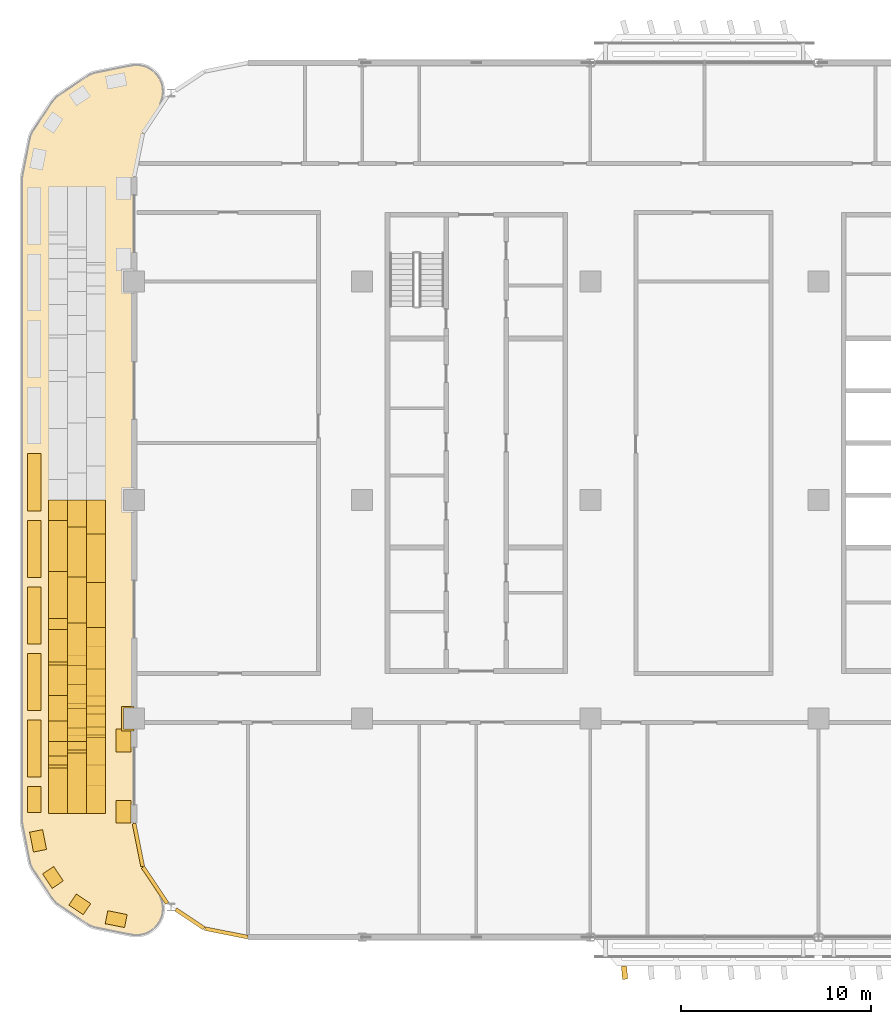
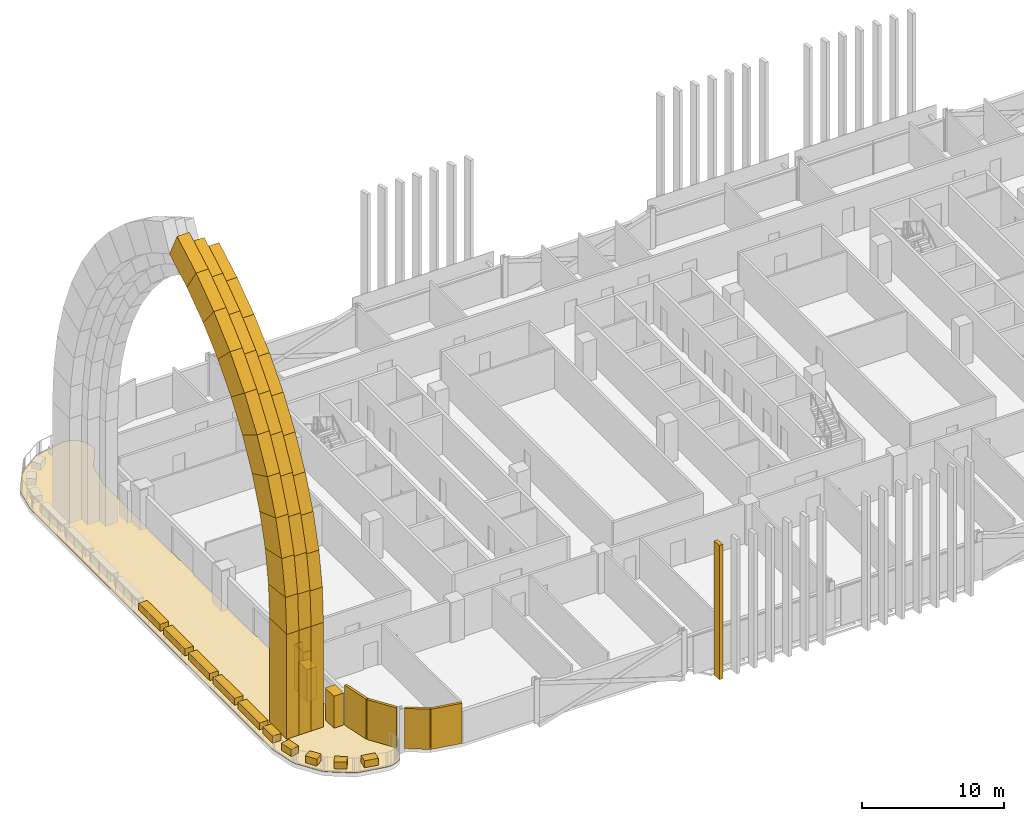
# One storey, part 20 of 28: 52 coverings.
"""IFC4 building model written with IfcOpenShell, lengths in metres."""

from ifc_helpers import new_model, si_unit, direction, frame, origin, origin_2d, place, context, subcontext, project, spatial, polyline, rectangle, outline, extrude, material, layer, layer_set, type_object, element, save


model = new_model("IFC4")

# Units and contexts
model_context = context("Model", 3, precision=1e-05, world=origin(), true_north=direction((0.0, 1.0)))
body_context = subcontext(model_context, "Body", "Model", "MODEL_VIEW")
ifc_project = project(units=[si_unit("LENGTHUNIT", "METRE"), si_unit("AREAUNIT", "SQUARE_METRE"), si_unit("VOLUMEUNIT", "CUBIC_METRE"), si_unit("PLANEANGLEUNIT", "RADIAN"), si_unit("MASSUNIT", "GRAM", prefix="KILO")], contexts=[model_context])

# Site, building, storey
site_placement = place(None, origin())
site = spatial("IfcSite", under=ifc_project, at=site_placement, CompositionType="ELEMENT")
building_placement = place(site_placement, origin())
building = spatial("IfcBuilding", under=site, at=building_placement, Name="Mahtab Terrace Research Tower", CompositionType="ELEMENT")
storey_placement = place(building_placement, frame((0.0, 0.0, 193.89990234375)))
storey = spatial("IfcBuildingStorey", under=building, at=storey_placement, Name="L46", CompositionType="ELEMENT", Elevation=193.89990234375)

# Coverings
ifc_material_1 = material(Name="Black aluminium cladding panel", Category="aluminium")
ifc_layer_1 = layer(ifc_material_1, 0.199951171875)
ifc_layer_set_1 = layer_set([ifc_layer_1], Name="Black metal corner cladding 200")
covering_type_1 = type_object("IfcCoveringType", Name="Black metal corner cladding 200", PredefinedType="CLADDING", material=ifc_layer_set_1)
for number, where, z_axis, x_axis, name in (
    (1, (-41.771484375, -18.14794921875, 0.0), (0.0, 0.0, 1.0), (0.195212442692, -0.980760981187, 0.0), "Corner cladding L46 19"),
    (2, (-40.89306640625, -20.26953125, 0.0), (0.0, 0.0, 1.0), (0.555291490808, -0.831655794326, 0.0), "Corner cladding L46 20"),
):
    element("IfcCovering", number, at=place(storey_placement, frame(where, z_axis=z_axis, x_axis=x_axis)), inside=storey, type_object=covering_type_1, Name=name, PredefinedType="CLADDING", context=body_context, shape_type="SweptSolid", body=[
        extrude(rectangle(XDim=2.30126953125, YDim=0.199951171875, at=origin_2d()), origin(), (0.0, 0.0, 1.0), 3.4599609375),
    ])
covering_1_placement = place(storey_placement, frame((-39.059814453125, -22.032958984375, 0.0), z_axis=(0.0, 0.0, 1.0), x_axis=(0.831655794326, -0.555291490808, 0.0)))
element("IfcCovering", 3, at=covering_1_placement, inside=storey, type_object=covering_type_1, Name="Corner cladding L46 21", PredefinedType="CLADDING", context=body_context, shape_type="SweptSolid", body=[
    extrude(rectangle(XDim=1.797119140625, YDim=0.199951171875, at=origin_2d()), origin(), (0.0, 0.0, 1.0), 3.4599609375),
])
covering_2_placement = place(storey_placement, frame((-37.14794921875, -22.771484375, 0.0), z_axis=(0.0, 0.0, 1.0), x_axis=(0.980760981187, -0.195212442692, 0.0)))
element("IfcCovering", 4, at=covering_2_placement, inside=storey, type_object=covering_type_1, Name="Corner cladding L46 22", PredefinedType="CLADDING", context=body_context, shape_type="SweptSolid", body=[
    extrude(rectangle(XDim=2.30126953125, YDim=0.199951171875, at=origin_2d()), origin(), (0.0, 0.0, 1.0), 3.4599609375),
])
ifc_material_2 = material(Name="Dark anodised aluminium cladding", Category="aluminium")
ifc_layer_2 = layer(ifc_material_2, 0.10009765625)
ifc_layer_set_2 = layer_set([ifc_layer_2], Name="Column casing 100")
covering_type_2 = type_object("IfcCoveringType", Name="Column casing 100", PredefinedType="CLADDING", material=ifc_layer_set_2)
covering_3_placement = place(storey_placement, frame((0.0, 0.0, -0.33984375)))
element("IfcCovering", 5, at=covering_3_placement, inside=storey, type_object=covering_type_2, Name="Column casing RC-1A L46", PredefinedType="CLADDING", context=body_context, shape_type="SweptSolid", body=[
    extrude(outline(polyline([(-42.64990234375, -10.85009765625), (-42.0, -10.85009765625), (-42.0, -10.949951171875), (-42.550048828125, -10.949951171875), (-42.550048828125, -12.050048828125), (-42.0, -12.050048828125), (-42.0, -12.14990234375), (-42.64990234375, -12.14990234375), (-42.64990234375, -10.85009765625)])), origin(), (0.0, 0.0, 1.0), 3.800048828125),
])
ifc_material_3 = material(Name="Glazed ceramic tile cladding", Category="masonry")
ifc_layer_3 = layer(ifc_material_3, 1.0)
ifc_layer_set_3 = layer_set([ifc_layer_3], Name="Iwan portal cladding arch course 800")
covering_type_3 = type_object("IfcCoveringType", Name="Iwan portal cladding arch course 800", PredefinedType="CLADDING", material=ifc_layer_set_3)
covering_4_placement = place(storey_placement, frame((-43.5, -12.5, 9.030029296875), z_axis=(1.0, 0.0, 0.0), x_axis=(0.0, 0.055632471421, 0.998451314849)))
element("IfcCovering", 6, at=covering_4_placement, inside=storey, type_object=covering_type_3, Name="Iwan portal arch course 5.1.1E1", PredefinedType="CLADDING", context=body_context, shape_type="SweptSolid", body=[
    extrude(outline(polyline([(0.0, 0.0), (2.497031177606445, 2.7755575615628914e-17), (2.718031150274542, 3.9943107825860853), (-0.22252988568314055, 3.993805259395837), (0.0, 0.0)])), origin(), (0.0, 0.0, -1.0), 1.0),
])
covering_5_placement = place(storey_placement, frame((-43.5, -12.361083984375, 11.523193359375), z_axis=(1.0, 0.0, 0.0), x_axis=(0.0, 0.165477330536, 0.986213594045)))
element("IfcCovering", 7, at=covering_5_placement, inside=storey, type_object=covering_type_3, Name="Iwan portal arch course 5.1.1E2", PredefinedType="CLADDING", context=body_context, shape_type="SweptSolid", body=[
    extrude(outline(polyline([(0.0, 0.0), (2.4963294740269175, 5.551115123125783e-17), (2.7197383110080837, 3.9931432385609136), (-0.2211442549266358, 3.994302797024245), (0.0, 0.0)])), origin(), (0.0, 0.0, -1.0), 1.0),
])
covering_6_placement = place(storey_placement, frame((-43.5, -11.947998046875, 13.985107421875), z_axis=(1.0, 0.0, 0.0), x_axis=(0.0, 0.274385320398, 0.961619829221)))
element("IfcCovering", 8, at=covering_6_placement, inside=storey, type_object=covering_type_3, Name="Iwan portal arch course 5.1.1E3", PredefinedType="CLADDING", context=body_context, shape_type="SweptSolid", body=[
    extrude(outline(polyline([(0.0, 0.0), (2.496702785544752, 0.0), (2.717150438855679, 3.9948151469312627), (-0.22312428490745473, 3.9931591485427367), (0.0, 0.0)])), origin(), (0.0, 0.0, -1.0), 1.0),
])
covering_7_placement = place(storey_placement, frame((-43.5, -11.262939453125, 16.385986328125), z_axis=(1.0, 0.0, 0.0), x_axis=(0.0, 0.378846019026, 0.925459720284)))
element("IfcCovering", 9, at=covering_7_placement, inside=storey, type_object=covering_type_3, Name="Iwan portal arch course 5.1.1E4", PredefinedType="CLADDING", context=body_context, shape_type="SweptSolid", body=[
    extrude(outline(polyline([(0.0, 0.0), (2.4971753017417377, 0.0), (2.7196203796297658, 3.9940506302646437), (-0.2218200965270043, 3.994739174311446), (0.0, 0.0)])), origin(), (0.0, 0.0, -1.0), 1.0),
])
covering_8_placement = place(storey_placement, frame((-43.5, -10.31689453125, 18.697021484375), z_axis=(1.0, 0.0, 0.0), x_axis=(0.0, 0.478879531075, 0.87788062669)))
element("IfcCovering", 10, at=covering_8_placement, inside=storey, type_object=covering_type_3, Name="Iwan portal arch course 5.1.1E5", PredefinedType="CLADDING", context=body_context, shape_type="SweptSolid", body=[
    extrude(outline(polyline([(0.0, 0.0), (2.49708058844083, 0.0), (2.719430437337947, 3.9941434273889156), (-0.2206702074556972, 3.994149084515433), (0.0, 0.0)])), origin(), (0.0, 0.0, -1.0), 1.0),
])
covering_9_placement = place(storey_placement, frame((-43.5, -9.12109375, 20.88916015625), z_axis=(1.0, 0.0, 0.0), x_axis=(0.0, 0.573383565625, 0.819287059992)))
element("IfcCovering", 11, at=covering_9_placement, inside=storey, type_object=covering_type_3, Name="Iwan portal arch course 5.1.1E6", PredefinedType="CLADDING", context=body_context, shape_type="SweptSolid", body=[
    extrude(outline(polyline([(0.0, 0.0), (2.4959772646950604, 0.0), (2.7178899575762028, 3.994034303900552), (-0.2224646139941806, 3.994137036880315), (0.0, 0.0)])), origin(), (0.0, 0.0, -1.0), 1.0),
])
covering_10_placement = place(storey_placement, frame((-43.5, -7.68994140625, 22.93408203125), z_axis=(1.0, 0.0, 0.0), x_axis=(0.0, 0.660799808803, 0.750562197747)))
element("IfcCovering", 12, at=covering_10_placement, inside=storey, type_object=covering_type_3, Name="Iwan portal arch course 5.1.1E7", PredefinedType="CLADDING", context=body_context, shape_type="SweptSolid", body=[
    extrude(outline(polyline([(0.0, 0.0), (2.4968263031719005, 0.0), (2.7182003198382545, 3.994785106603096), (-0.22289572383186074, 3.993979564330994), (0.0, 0.0)])), origin(), (0.0, 0.0, -1.0), 1.0),
])
covering_11_placement = place(storey_placement, frame((-43.5, -6.0400390625, 24.80810546875), z_axis=(1.0, 0.0, 0.0), x_axis=(0.0, 0.739563952942, 0.673086294251)))
element("IfcCovering", 13, at=covering_11_placement, inside=storey, type_object=covering_type_3, Name="Iwan portal arch course 5.1.1E8", PredefinedType="CLADDING", context=body_context, shape_type="SweptSolid", body=[
    extrude(outline(polyline([(0.0, 0.0), (2.4973145605287335, 0.0), (2.71931520857827, 3.9937070194975735), (-0.22065559532393775, 3.994824853663192), (0.0, 0.0)])), origin(), (0.0, 0.0, -1.0), 1.0),
])
covering_12_placement = place(storey_placement, frame((-43.5, -4.193115234375, 26.489013671875), z_axis=(1.0, 0.0, 0.0), x_axis=(0.0, 0.809636005949, 0.58693231115)))
element("IfcCovering", 14, at=covering_12_placement, inside=storey, type_object=covering_type_3, Name="Iwan portal arch course 5.1.1E9", PredefinedType="CLADDING", context=body_context, shape_type="SweptSolid", body=[
    extrude(outline(polyline([(0.0, 0.0), (2.4961786270635304, -2.220446049250313e-16), (2.7195123523158817, 3.9930683277445063), (-0.22219417841392586, 3.993696256902566), (0.0, 0.0)])), origin(), (0.0, 0.0, -1.0), 1.0),
])
covering_13_placement = place(storey_placement, frame((-43.5, -2.172119140625, 27.9541015625), z_axis=(1.0, 0.0, 0.0), x_axis=(0.0, 0.869839006732, 0.49333568933)))
element("IfcCovering", 15, at=covering_13_placement, inside=storey, type_object=covering_type_3, Name="Iwan portal arch course 5.1.1E10", PredefinedType="CLADDING", context=body_context, shape_type="SweptSolid", body=[
    extrude(outline(polyline([(0.0, 0.0), (2.4971507644672317, 0.0), (2.7181363822844524, 3.9938283906727428), (-0.2217361565820346, 3.993157359751257), (0.0, 0.0)])), origin(), (0.0, 0.0, -1.0), 1.0),
])
covering_14_placement = place(storey_placement, frame((-44.5, -13.300048828125, 9.030029296875), z_axis=(1.0, 0.0, 0.0), x_axis=(0.0, 0.055332571462, 0.998467979725)))
element("IfcCovering", 16, at=covering_14_placement, inside=storey, type_object=covering_type_3, Name="Iwan portal arch course 5.1.2E1", PredefinedType="CLADDING", context=body_context, shape_type="SweptSolid", body=[
    extrude(outline(polyline([(0.0, 0.0), (2.6561689140060745, 0.0), (2.8346517507306923, 3.1947019030320667), (-0.17706152689342614, 3.195048781799482), (0.0, 0.0)])), origin(), (0.0, 0.0, -1.0), 1.0),
])
covering_15_placement = place(storey_placement, frame((-44.5, -13.153076171875, 11.68212890625), z_axis=(1.0, 0.0, 0.0), x_axis=(0.0, 0.166052852083, 0.98611685429)))
element("IfcCovering", 17, at=covering_15_placement, inside=storey, type_object=covering_type_3, Name="Iwan portal arch course 5.1.2E2", PredefinedType="CLADDING", context=body_context, shape_type="SweptSolid", body=[
    extrude(outline(polyline([(0.0, 0.0), (2.6567571941165977, 0.0), (2.833617936976216, 3.1958063890327444), (-0.1779844951764526, 3.1947297055805457), (0.0, 0.0)])), origin(), (0.0, 0.0, -1.0), 1.0),
])
covering_16_placement = place(storey_placement, frame((-44.5, -12.7119140625, 14.302001953125), z_axis=(1.0, 0.0, 0.0), x_axis=(0.0, 0.274017139226, 0.961724808565)))
element("IfcCovering", 18, at=covering_16_placement, inside=storey, type_object=covering_type_3, Name="Iwan portal arch course 5.1.2E3", PredefinedType="CLADDING", context=body_context, shape_type="SweptSolid", body=[
    extrude(outline(polyline([(0.0, 0.0), (2.656867909086605, 1.1102230246251565e-16), (2.834059993143867, 3.195013336949602), (-0.1774096507052142, 3.1957759643604584), (0.0, 0.0)])), origin(), (0.0, 0.0, -1.0), 1.0),
])
covering_17_placement = place(storey_placement, frame((-44.5, -11.98388671875, 16.857177734375), z_axis=(1.0, 0.0, 0.0), x_axis=(0.0, 0.378604220081, 0.925558666178)))
element("IfcCovering", 19, at=covering_17_placement, inside=storey, type_object=covering_type_3, Name="Iwan portal arch course 5.1.2E4", PredefinedType="CLADDING", context=body_context, shape_type="SweptSolid", body=[
    extrude(outline(polyline([(0.0, 0.0), (2.6567569024601276, 1.1102230246251565e-16), (2.8347404075954206, 3.194072326049255), (-0.17692313189299302, 3.1950282413993714), (0.0, 0.0)])), origin(), (0.0, 0.0, -1.0), 1.0),
])
covering_18_placement = place(storey_placement, frame((-44.5, -10.97802734375, 19.316162109375), z_axis=(1.0, 0.0, 0.0), x_axis=(0.0, 0.479277136916, 0.877663617812)))
element("IfcCovering", 20, at=covering_18_placement, inside=storey, type_object=covering_type_3, Name="Iwan portal arch course 5.1.2E5", PredefinedType="CLADDING", context=body_context, shape_type="SweptSolid", body=[
    extrude(outline(polyline([(0.0, 0.0), (2.6559773473491743, 2.220446049250313e-16), (2.8327721112857343, 3.1956484631317945), (-0.1786610156440407, 3.1940345010069917), (0.0, 0.0)])), origin(), (0.0, 0.0, -1.0), 1.0),
])
covering_19_placement = place(storey_placement, frame((-44.5, -9.705078125, 21.647216796875), z_axis=(1.0, 0.0, 0.0), x_axis=(0.0, 0.573283490074, 0.819357089436)))
element("IfcCovering", 21, at=covering_19_placement, inside=storey, type_object=covering_type_3, Name="Iwan portal arch course 5.1.2E6", PredefinedType="CLADDING", context=body_context, shape_type="SweptSolid", body=[
    extrude(outline(polyline([(0.0, 0.0), (2.6569635891284173, 0.0), (2.8342279212716948, 3.1948658649545116), (-0.17724932421937556, 3.195623282794103), (0.0, 0.0)])), origin(), (0.0, 0.0, -1.0), 1.0),
])
covering_20_placement = place(storey_placement, frame((-44.5, -8.181884765625, 23.82421875), z_axis=(1.0, 0.0, 0.0), x_axis=(0.0, 0.660681765559, 0.750666107306)))
element("IfcCovering", 22, at=covering_20_placement, inside=storey, type_object=covering_type_3, Name="Iwan portal arch course 5.1.2E7", PredefinedType="CLADDING", context=body_context, shape_type="SweptSolid", body=[
    extrude(outline(polyline([(0.0, 0.0), (2.65616958720841, 0.0), (2.833567647910919, 3.1947752802274776), (-0.1784284191866532, 3.1948010638736637), (0.0, 0.0)])), origin(), (0.0, 0.0, -1.0), 1.0),
])
covering_21_placement = place(storey_placement, frame((-44.5, -6.427001953125, 25.818115234375), z_axis=(1.0, 0.0, 0.0), x_axis=(0.0, 0.739632305982, 0.673011182632)))
element("IfcCovering", 23, at=covering_21_placement, inside=storey, type_object=covering_type_3, Name="Iwan portal arch course 5.1.2E8", PredefinedType="CLADDING", context=body_context, shape_type="SweptSolid", body=[
    extrude(outline(polyline([(0.0, 0.0), (2.656844319444831, -2.220446049250313e-16), (2.8352435103942684, 3.1946218231134615), (-0.17693819707286762, 3.194800782131833), (0.0, 0.0)])), origin(), (0.0, 0.0, -1.0), 1.0),
])
covering_22_placement = place(storey_placement, frame((-44.5, -4.4619140625, 27.606201171875), z_axis=(1.0, 0.0, 0.0), x_axis=(0.0, 0.809708703105, 0.586832016949)))
element("IfcCovering", 24, at=covering_22_placement, inside=storey, type_object=covering_type_3, Name="Iwan portal arch course 5.1.2E9", PredefinedType="CLADDING", context=body_context, shape_type="SweptSolid", body=[
    extrude(outline(polyline([(0.0, 0.0), (2.656361353167034, 0.0), (2.8340504688457258, 3.1948383873271022), (-0.17699475768768447, 3.1946999420595463), (0.0, 0.0)])), origin(), (0.0, 0.0, -1.0), 1.0),
])
covering_23_placement = place(storey_placement, frame((-44.5, -2.31103515625, 29.1650390625), z_axis=(1.0, 0.0, 0.0), x_axis=(0.0, 0.869788239741, 0.49342518988)))
element("IfcCovering", 25, at=covering_23_placement, inside=storey, type_object=covering_type_3, Name="Iwan portal arch course 5.1.2E10", PredefinedType="CLADDING", context=body_context, shape_type="SweptSolid", body=[
    extrude(outline(polyline([(0.0, 0.0), (2.65700897144645, 0.0), (2.8342066783595765, 3.19449362240507), (-0.17767889446054186, 3.1948389557899146), (0.0, 0.0)])), origin(), (0.0, 0.0, -1.0), 1.0),
])
covering_24_placement = place(storey_placement, frame((-45.5, -14.10009765625, 9.030029296875), z_axis=(1.0, 0.0, 0.0), x_axis=(0.0, 0.055393201151, 0.998464617934)))
element("IfcCovering", 26, at=covering_24_placement, inside=storey, type_object=covering_type_3, Name="Iwan portal arch course 5.1.3E1", PredefinedType="CLADDING", context=body_context, shape_type="SweptSolid", body=[
    extrude(outline(polyline([(0.0, 0.0), (2.8163358703369634, 0.0), (2.9499272403325114, 2.396088730921076), (-0.13293827327065222, 2.396217576731412), (0.0, 0.0)])), origin(), (0.0, 0.0, -1.0), 1.0),
])
covering_25_placement = place(storey_placement, frame((-45.5, -13.944091796875, 11.842041015625), z_axis=(1.0, 0.0, 0.0), x_axis=(0.0, 0.165846844947, 0.986151521837)))
element("IfcCovering", 27, at=covering_25_placement, inside=storey, type_object=covering_type_3, Name="Iwan portal arch course 5.1.3E2", PredefinedType="CLADDING", context=body_context, shape_type="SweptSolid", body=[
    extrude(outline(polyline([(0.0, 0.0), (2.816098284979913, 0.0), (2.949566290747043, 2.3963859999740578), (-0.13311832751137187, 2.396115058060617), (0.0, 0.0)])), origin(), (0.0, 0.0, -1.0), 1.0),
])
covering_26_placement = place(storey_placement, frame((-45.5, -13.47705078125, 14.619140625), z_axis=(1.0, 0.0, 0.0), x_axis=(0.0, 0.274057121553, 0.961713415798)))
element("IfcCovering", 28, at=covering_26_placement, inside=storey, type_object=covering_type_3, Name="Iwan portal arch course 5.1.3E3", PredefinedType="CLADDING", context=body_context, shape_type="SweptSolid", body=[
    extrude(outline(polyline([(0.0, 0.0), (2.816831220714479, 0.0), (2.9501788842115015, 2.39610585086467), (-0.13278827308069419, 2.3964237613509356), (0.0, 0.0)])), origin(), (0.0, 0.0, -1.0), 1.0),
])
covering_27_placement = place(storey_placement, frame((-45.5, -12.705078125, 17.328125), z_axis=(1.0, 0.0, 0.0), x_axis=(0.0, 0.378956904191, 0.925414320597)))
element("IfcCovering", 29, at=covering_27_placement, inside=storey, type_object=covering_type_3, Name="Iwan portal arch course 5.1.3E4", PredefinedType="CLADDING", context=body_context, shape_type="SweptSolid", body=[
    extrude(outline(polyline([(0.0, 0.0), (2.8159895230153915, -1.1102230246251565e-16), (2.948900459120438, 2.39607239160575), (-0.13303799860995358, 2.3961230642089064), (0.0, 0.0)])), origin(), (0.0, 0.0, -1.0), 1.0),
])
covering_28_placement = place(storey_placement, frame((-45.5, -11.637939453125, 19.93408203125), z_axis=(1.0, 0.0, 0.0), x_axis=(0.0, 0.479003982288, 0.877812727723)))
element("IfcCovering", 30, at=covering_28_placement, inside=storey, type_object=covering_type_3, Name="Iwan portal arch course 5.1.3E5", PredefinedType="CLADDING", context=body_context, shape_type="SweptSolid", body=[
    extrude(outline(polyline([(0.0, 0.0), (2.8160036304529044, 0.0), (2.949954631178097, 2.3957062317944584), (-0.13296782168384536, 2.3960692354663444), (0.0, 0.0)])), origin(), (0.0, 0.0, -1.0), 1.0),
])
covering_29_placement = place(storey_placement, frame((-45.5, -10.2890625, 22.406005859375), z_axis=(1.0, 0.0, 0.0), x_axis=(0.0, 0.573299469647, 0.819345908699)))
element("IfcCovering", 31, at=covering_29_placement, inside=storey, type_object=covering_type_3, Name="Iwan portal arch course 5.1.3E6", PredefinedType="CLADDING", context=body_context, shape_type="SweptSolid", body=[
    extrude(outline(polyline([(0.0, 0.0), (2.8170098175193274, 0.0), (2.950231362571884, 2.3962269304135337), (-0.1322688896838473, 2.395799691225434), (0.0, 0.0)])), origin(), (0.0, 0.0, -1.0), 1.0),
])
covering_30_placement = place(storey_placement, frame((-45.5, -8.674072265625, 24.714111328125), z_axis=(1.0, 0.0, 0.0), x_axis=(0.0, 0.660778344399, 0.750581094602)))
element("IfcCovering", 32, at=covering_30_placement, inside=storey, type_object=covering_type_3, Name="Iwan portal arch course 5.1.3E7", PredefinedType="CLADDING", context=body_context, shape_type="SweptSolid", body=[
    extrude(outline(polyline([(0.0, 0.0), (2.8165026898214647, 0.0), (2.949076138928676, 2.3961956637964077), (-0.13381988653497134, 2.39619358985726), (0.0, 0.0)])), origin(), (0.0, 0.0, -1.0), 1.0),
])
covering_31_placement = place(storey_placement, frame((-45.5, -6.81298828125, 26.828125), z_axis=(1.0, 0.0, 0.0), x_axis=(0.0, 0.739696803332, 0.672940293889)))
element("IfcCovering", 33, at=covering_31_placement, inside=storey, type_object=covering_type_3, Name="Iwan portal arch course 5.1.3E8", PredefinedType="CLADDING", context=body_context, shape_type="SweptSolid", body=[
    extrude(outline(polyline([(0.0, 0.0), (2.81602922050802, 0.0), (2.949245954890754, 2.3961353226132074), (-0.1331098027276174, 2.3961659289420476), (0.0, 0.0)])), origin(), (0.0, 0.0, -1.0), 1.0),
])
covering_32_placement = place(storey_placement, frame((-45.5, -4.72998046875, 28.72314453125), z_axis=(1.0, 0.0, 0.0), x_axis=(0.0, 0.809642371156, 0.586923530648)))
element("IfcCovering", 34, at=covering_32_placement, inside=storey, type_object=covering_type_3, Name="Iwan portal arch course 5.1.3E9", PredefinedType="CLADDING", context=body_context, shape_type="SweptSolid", body=[
    extrude(outline(polyline([(0.0, 0.0), (2.8160943375771894, 0.0), (2.949551714750983, 2.3957949835042798), (-0.1328434021685625, 2.3961560494038325), (0.0, 0.0)])), origin(), (0.0, 0.0, -1.0), 1.0),
])
covering_33_placement = place(storey_placement, frame((-45.5, -2.449951171875, 30.3759765625), z_axis=(1.0, 0.0, 0.0), x_axis=(0.0, 0.869743227139, 0.493504527686)))
element("IfcCovering", 35, at=covering_33_placement, inside=storey, type_object=covering_type_3, Name="Iwan portal arch course 5.1.3E10", PredefinedType="CLADDING", context=body_context, shape_type="SweptSolid", body=[
    extrude(outline(polyline([(0.0, 0.0), (2.8168672033641737, 0.0), (2.9499294514612617, 2.3963802842212356), (-0.1330850373156729, 2.3958156956137224), (0.0, 0.0)])), origin(), (0.0, 0.0, -1.0), 1.0),
])
ifc_layer_4 = layer(ifc_material_3, 1.0)
ifc_layer_set_4 = layer_set([ifc_layer_4], Name="Iwan portal cladding pilaster 900")
covering_type_4 = type_object("IfcCoveringType", Name="Iwan portal cladding pilaster 900", PredefinedType="CLADDING", material=ifc_layer_set_4)
covering_34_placement = place(storey_placement, frame((-44.0, -14.5, 0.030029296875), z_axis=(0.0, 0.0, 1.0), x_axis=(0.0, -1.0, 0.0)))
element("IfcCovering", 36, at=covering_34_placement, inside=storey, type_object=covering_type_4, Name="Iwan portal pilaster 5.1.1E", PredefinedType="CLADDING", context=body_context, shape_type="SweptSolid", body=[
    extrude(rectangle(XDim=4.0, YDim=1.0, at=origin_2d()), origin(), (0.0, 0.0, 1.0), 9.0),
])
covering_35_placement = place(storey_placement, frame((-45.0, -14.89990234375, 0.030029296875), z_axis=(0.0, 0.0, 1.0), x_axis=(0.0, -1.0, 0.0)))
element("IfcCovering", 37, at=covering_35_placement, inside=storey, type_object=covering_type_4, Name="Iwan portal pilaster 5.1.2E", PredefinedType="CLADDING", context=body_context, shape_type="SweptSolid", body=[
    extrude(rectangle(XDim=3.199951171875, YDim=1.0, at=origin_2d()), origin(), (0.0, 0.0, 1.0), 9.0),
])
covering_36_placement = place(storey_placement, frame((-46.0, -15.300048828125, 0.030029296875), z_axis=(0.0, 0.0, 1.0), x_axis=(0.0, -1.0, 0.0)))
element("IfcCovering", 38, at=covering_36_placement, inside=storey, type_object=covering_type_4, Name="Iwan portal pilaster 5.1.3E", PredefinedType="CLADDING", context=body_context, shape_type="SweptSolid", body=[
    extrude(rectangle(XDim=2.39990234375, YDim=1.0, at=origin_2d()), origin(), (0.0, 0.0, 1.0), 9.0),
])
ifc_layer_5 = layer(ifc_material_3, 0.800048828125)
ifc_layer_set_5 = layer_set([ifc_layer_5], Name="Pishtaq frame pier 800")
covering_type_5 = type_object("IfcCoveringType", Name="Pishtaq frame pier 800", PredefinedType="CLADDING", material=ifc_layer_set_5)
for number, where, z_axis, x_axis, name in (
    (39, (-42.550048828125, -12.64990234375, 0.0), (0.0, 0.0, 1.0), (0.0, -1.0, 0.0), "Pishtaq frame pier 18a"),
    (40, (-42.550048828125, -16.39990234375, 0.0), (0.0, 0.0, 1.0), (0.0, -1.0, 0.0), "Pishtaq frame pier 18b"),
):
    element("IfcCovering", number, at=place(storey_placement, frame(where, z_axis=z_axis, x_axis=x_axis)), inside=storey, type_object=covering_type_5, Name=name, PredefinedType="CLADDING", context=body_context, shape_type="SweptSolid", body=[
        extrude(rectangle(XDim=1.199951171875, YDim=0.800048828125, at=origin_2d()), origin(), (0.0, 0.0, 1.0), 2.781982421875),
    ])
ifc_material_4 = material(Name="Planting soil and shrubs")
ifc_layer_6 = layer(ifc_material_4, 0.1201171875)
ifc_layer_set_6 = layer_set([ifc_layer_6], Name="Planter")
covering_type_6 = type_object("IfcCoveringType", Name="Planter", PredefinedType="USERDEFINED", material=ifc_layer_set_6)
for number, where, z_axis, x_axis, name in (
    (41, (-47.25, 0.93408203125, 0.030029296875), (0.0, 0.0, 1.0), (0.0, -1.0, 0.0), "PLANTER terrace 5"),
    (42, (-47.25, -2.56591796875, 0.030029296875), (0.0, 0.0, 1.0), (0.0, -1.0, 0.0), "PLANTER terrace 5"),
    (43, (-47.25, -6.06591796875, 0.030029296875), (0.0, 0.0, 1.0), (0.0, -1.0, 0.0), "PLANTER terrace 5"),
    (44, (-47.25, -9.56591796875, 0.030029296875), (0.0, 0.0, 1.0), (0.0, -1.0, 0.0), "PLANTER terrace 5"),
    (45, (-47.25, -13.06591796875, 0.030029296875), (0.0, 0.0, 1.0), (0.0, -1.0, 0.0), "PLANTER terrace 5"),
):
    element("IfcCovering", number, at=place(storey_placement, frame(where, z_axis=z_axis, x_axis=x_axis)), inside=storey, type_object=covering_type_6, Name=name, ObjectType="PLANTER", PredefinedType="USERDEFINED", context=body_context, shape_type="SweptSolid", body=[
        extrude(rectangle(XDim=3.0, YDim=0.699951171875, at=origin_2d()), origin(), (0.0, 0.0, 1.0), 0.60009765625),
    ])
covering_37_placement = place(storey_placement, frame((-47.25, -15.75, 0.030029296875), z_axis=(0.0, 0.0, 1.0), x_axis=(0.0, -1.0, 0.0)))
element("IfcCovering", 46, at=covering_37_placement, inside=storey, type_object=covering_type_6, Name="PLANTER terrace 5", ObjectType="PLANTER", PredefinedType="USERDEFINED", context=body_context, shape_type="SweptSolid", body=[
    extrude(rectangle(XDim=1.368408203125, YDim=0.699951171875, at=origin_2d()), origin(), (0.0, 0.0, 1.0), 0.60009765625),
])
covering_38_placement = place(storey_placement, frame((-47.05029296875, -17.92822265625, 0.030029296875), z_axis=(0.0, 0.0, 1.0), x_axis=(0.195303993071, -0.980742754391, 0.0)))
element("IfcCovering", 47, at=covering_38_placement, inside=storey, type_object=covering_type_6, Name="PLANTER terrace 5", ObjectType="PLANTER", PredefinedType="USERDEFINED", context=body_context, shape_type="SweptSolid", body=[
    extrude(rectangle(XDim=1.060546875, YDim=0.699951171875, at=origin_2d()), origin(), (0.0, 0.0, 1.0), 0.60009765625),
])
for number, where, z_axis, x_axis, name in (
    (48, (-46.268798828125, -19.853759765625, 0.030029296875), (0.0, 0.0, 1.0), (0.555757494231, -0.831344457855, 0.0), "PLANTER terrace 5"),
    (49, (-44.853759765625, -21.268798828125, 0.030029296875), (0.0, 0.0, 1.0), (0.831344457855, -0.555757494231, 0.0), "PLANTER terrace 5"),
):
    element("IfcCovering", number, at=place(storey_placement, frame(where, z_axis=z_axis, x_axis=x_axis)), inside=storey, type_object=covering_type_6, Name=name, ObjectType="PLANTER", PredefinedType="USERDEFINED", context=body_context, shape_type="SweptSolid", body=[
        extrude(rectangle(XDim=0.908447265625, YDim=0.699951171875, at=origin_2d()), origin(), (0.0, 0.0, 1.0), 0.60009765625),
    ])
covering_39_placement = place(storey_placement, frame((-42.941162109375, -22.0478515625, 0.030029296875), z_axis=(0.0, 0.0, 1.0), x_axis=(0.980724538195, -0.195395445655, 0.0)))
element("IfcCovering", 50, at=covering_39_placement, inside=storey, type_object=covering_type_6, Name="PLANTER terrace 5", ObjectType="PLANTER", PredefinedType="USERDEFINED", context=body_context, shape_type="SweptSolid", body=[
    extrude(rectangle(XDim=1.0341796875, YDim=0.699951171875, at=origin_2d()), origin(), (0.0, 0.0, 1.0), 0.60009765625),
])
ifc_material_5 = material(Name="Granite paving", Category="masonry")
ifc_layer_7 = layer(ifc_material_5, 0.030029296875)
ifc_layer_set_7 = layer_set([ifc_layer_7], Name="Terrace roof build-up with granite pavers")
covering_type_7 = type_object("IfcCoveringType", Name="Terrace roof build-up with granite pavers", PredefinedType="ROOFING", material=ifc_layer_set_7)
covering_40_placement = place(storey_placement, origin())
element("IfcCovering", 51, at=covering_40_placement, inside=storey, type_object=covering_type_7, Name="Terrace paving 5", PredefinedType="ROOFING", context=body_context, shape_type="SweptSolid", body=[
    extrude(outline(polyline([(-41.550048828125, -19.260009765625), (-41.992919921875, -17.035888671875), (-41.998046875, -17.0), (-42.0, -16.962890625), (-42.0, 16.962890625), (-41.998046875, 17.0), (-41.992919921875, 17.035888671875), (-41.550048828125, 19.260009765625), (-41.5419921875, 19.294921875), (-41.52294921875, 19.326904296875), (-40.631103515625, 20.660888671875), (-40.554931640625, 20.7880859375), (-40.491943359375, 20.9208984375), (-40.443115234375, 21.05908203125), (-40.406982421875, 21.201904296875), (-40.385009765625, 21.347900390625), (-40.3779296875, 21.4951171875), (-40.385009765625, 21.64208984375), (-40.406982421875, 21.787109375), (-40.443115234375, 21.929931640625), (-40.491943359375, 22.069091796875), (-40.554931640625, 22.201904296875), (-40.631103515625, 22.327880859375), (-40.718994140625, 22.446044921875), (-40.81689453125, 22.555908203125), (-40.927001953125, 22.654052734375), (-41.044921875, 22.741943359375), (-41.1708984375, 22.818115234375), (-41.303955078125, 22.881103515625), (-41.443115234375, 22.929931640625), (-41.5859375, 22.966064453125), (-41.73095703125, 22.988037109375), (-41.8779296875, 22.9951171875), (-42.02490234375, 22.988037109375), (-42.1708984375, 22.966064453125), (-44.0029296875, 22.60107421875), (-44.14599609375, 22.56591796875), (-44.284912109375, 22.51611328125), (-44.41796875, 22.452880859375), (-44.5439453125, 22.3779296875), (-45.9951171875, 21.407958984375), (-46.113037109375, 21.321044921875), (-46.221923828125, 21.221923828125), (-46.321044921875, 21.113037109375), (-46.407958984375, 20.9951171875), (-47.3779296875, 19.5439453125), (-47.452880859375, 19.41796875), (-47.51611328125, 19.284912109375), (-47.56591796875, 19.14599609375), (-47.60107421875, 19.0029296875), (-47.970947265625, 17.14501953125), (-47.992919921875, 16.9990234375), (-48.0, 16.85205078125), (-48.0, -16.85205078125), (-47.992919921875, -16.9990234375), (-47.970947265625, -17.14501953125), (-47.60107421875, -19.0029296875), (-47.56591796875, -19.14599609375), (-47.51611328125, -19.284912109375), (-47.452880859375, -19.41796875), (-47.3779296875, -19.5439453125), (-46.407958984375, -20.9951171875), (-46.321044921875, -21.113037109375), (-46.221923828125, -21.221923828125), (-46.113037109375, -21.321044921875), (-45.9951171875, -21.407958984375), (-44.5439453125, -22.3779296875), (-44.41796875, -22.452880859375), (-44.284912109375, -22.51611328125), (-44.14599609375, -22.56591796875), (-44.0029296875, -22.60107421875), (-42.1708984375, -22.966064453125), (-42.02490234375, -22.988037109375), (-41.8779296875, -22.9951171875), (-41.73095703125, -22.988037109375), (-41.5859375, -22.966064453125), (-41.443115234375, -22.929931640625), (-41.303955078125, -22.881103515625), (-41.1708984375, -22.818115234375), (-41.044921875, -22.741943359375), (-40.927001953125, -22.654052734375), (-40.81689453125, -22.555908203125), (-40.718994140625, -22.446044921875), (-40.631103515625, -22.327880859375), (-40.554931640625, -22.201904296875), (-40.491943359375, -22.069091796875), (-40.443115234375, -21.929931640625), (-40.406982421875, -21.787109375), (-40.385009765625, -21.64208984375), (-40.3779296875, -21.4951171875), (-40.385009765625, -21.347900390625), (-40.406982421875, -21.201904296875), (-40.443115234375, -21.05908203125), (-40.491943359375, -20.9208984375), (-40.554931640625, -20.7880859375), (-40.631103515625, -20.660888671875), (-41.52294921875, -19.326904296875), (-41.5419921875, -19.294921875), (-41.550048828125, -19.260009765625)])), origin(), (0.0, 0.0, 1.0), 0.030029296875),
])
ifc_material_6 = material(Name="Bronze anodised aluminium", Category="aluminium")
ifc_layer_8 = layer(ifc_material_6, 0.1201171875)
ifc_layer_set_8 = layer_set([ifc_layer_8], Name="Vertical fin 700")
covering_type_8 = type_object("IfcCoveringType", Name="Vertical fin 700", PredefinedType="CLADDING", material=ifc_layer_set_8)
covering_41_placement = place(storey_placement, frame((-16.199951171875, -24.8603515625, -0.14990234375), z_axis=(0.0, 0.0, 1.0), x_axis=(0.996616925886, 0.082187000416, 0.0)))
element("IfcCovering", 52, at=covering_41_placement, inside=storey, type_object=covering_type_8, Name="Fin L46 S1", PredefinedType="CLADDING", context=body_context, shape_type="SweptSolid", body=[
    extrude(rectangle(XDim=0.280029296875, YDim=0.699951171875, at=origin_2d()), origin(), (0.0, 0.0, 1.0), 11.550048828125),
])

save(model, "model.ifc")
